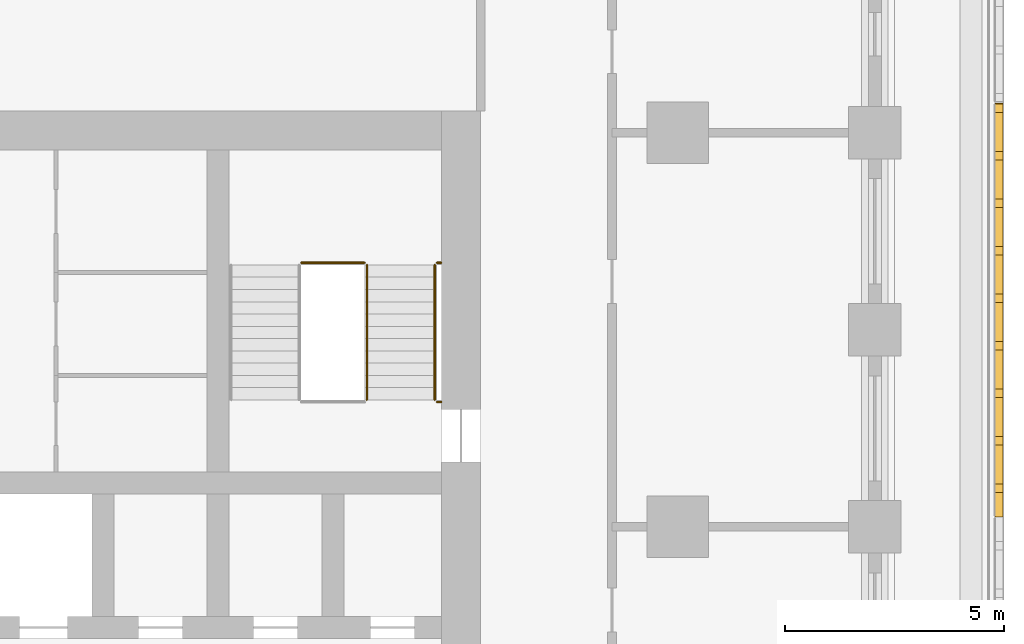
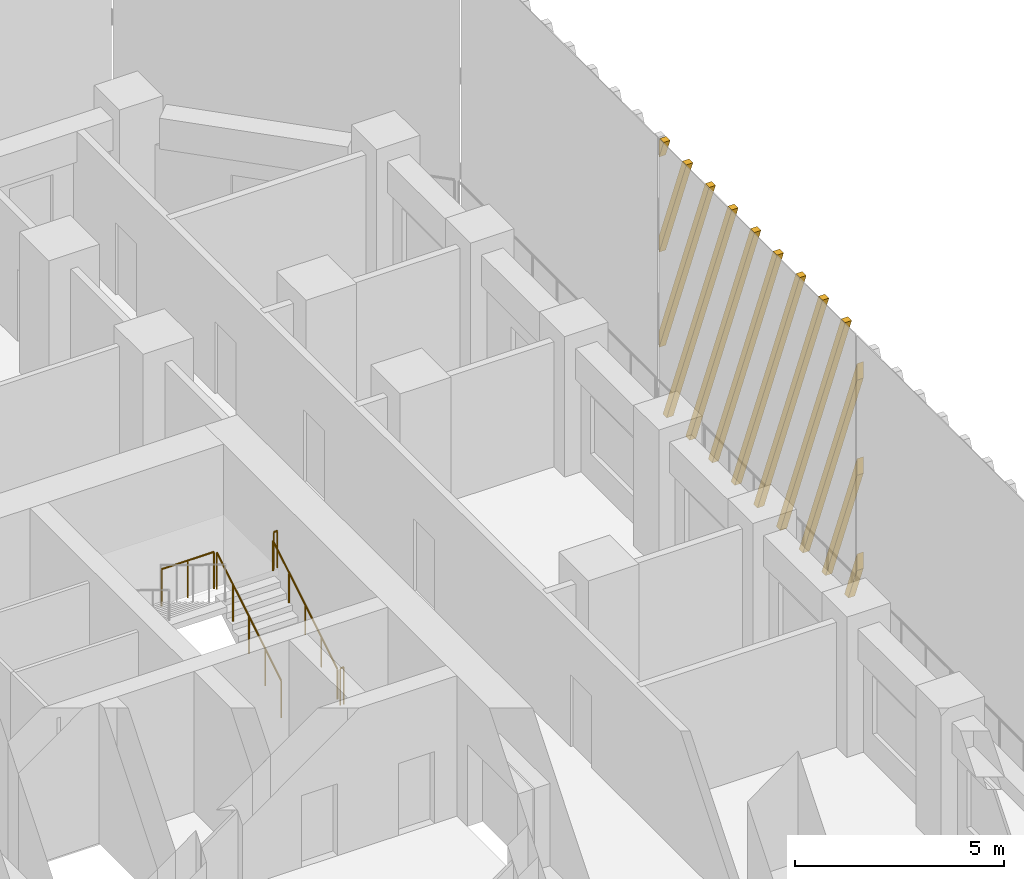
# One storey, part 17 of 19: 5 railings, 1 shading device.
"""IFC4 building model written with IfcOpenShell, lengths in metres."""

from ifc_helpers import new_model, si_unit, direction, frame, origin, origin_2d, place, context, subcontext, project, spatial, polyline, circle, outline, extrude, source, transform, mapped, material, type_object, element, save


model = new_model("IFC4")

# Units and contexts
model_context = context("Model", 3, precision=1e-05, world=origin(), true_north=direction((0.0, 1.0)))
body_context = subcontext(model_context, "Body", "Model", "MODEL_VIEW")
ifc_project = project(units=[si_unit("LENGTHUNIT", "METRE"), si_unit("AREAUNIT", "SQUARE_METRE"), si_unit("VOLUMEUNIT", "CUBIC_METRE"), si_unit("PLANEANGLEUNIT", "RADIAN"), si_unit("MASSUNIT", "GRAM", prefix="KILO")], contexts=[model_context])

# Site, building, storey
site_placement = place(None, origin())
site = spatial("IfcSite", under=ifc_project, at=site_placement, CompositionType="ELEMENT")
building_placement = place(site_placement, origin())
building = spatial("IfcBuilding", under=site, at=building_placement, Name="Corbel Stack Research Tower", CompositionType="ELEMENT")
storey_placement = place(building_placement, frame((0.0, 0.0, 124.89990234375)))
storey = spatial("IfcBuildingStorey", under=building, at=storey_placement, Name="L28", CompositionType="ELEMENT", Elevation=124.89990234375)

# Railings
ifc_material_1 = material(Name="Steel S355", Category="steel")
railing_type_1 = type_object("IfcRailingType", Name="Stair guard 1100", PredefinedType="GUARDRAIL", material=ifc_material_1)
railing_1_placement = place(storey_placement, frame((15.39990234375, 11.89990234375, 0.1708984375)))
element("IfcRailing", 1, at=railing_1_placement, inside=storey, type_object=railing_type_1, Name="L28 ST-E2 stair guard 1", PredefinedType="GUARDRAIL", context=body_context, shape_type="SweptSolid", body=[
    extrude(circle(Radius=0.02392578125, at=origin_2d()), frame((0.0, 0.0, 1.076171875), z_axis=(0.0, 0.853666305674, 0.52082035152), x_axis=(-1.0, 0.0, 0.0)), (0.0, 0.0, 1.0), 3.608154296875),
    extrude(circle(Radius=0.02099609375, at=origin_2d()), origin(), (0.0, 0.0, 1.0), 1.052001953125),
    extrude(circle(Radius=0.02099609375, at=origin_2d()), frame((0.0, 0.77001953125, 0.4697265625)), (0.0, 0.0, 1.0), 1.052001953125),
    extrude(circle(Radius=0.02099609375, at=origin_2d()), frame((0.0, 1.5400390625, 0.939453125)), (0.0, 0.0, 1.0), 1.052001953125),
    extrude(circle(Radius=0.02099609375, at=origin_2d()), frame((0.0, 2.31005859375, 1.409423828125)), (0.0, 0.0, 1.0), 1.052001953125),
    extrude(circle(Radius=0.02099609375, at=origin_2d()), frame((0.0, 3.080078125, 1.879150390625)), (0.0, 0.0, 1.0), 1.052001953125),
])
railing_2_placement = place(storey_placement, frame((15.35009765625, 15.030029296875, 2.050048828125)))
element("IfcRailing", 2, at=railing_2_placement, inside=storey, type_object=railing_type_1, Name="L28 ST-E2 stair guard 2", PredefinedType="GUARDRAIL", context=body_context, shape_type="SweptSolid", body=[
    extrude(circle(Radius=0.02392578125, at=origin_2d()), frame((0.0, 0.0, 1.076171875), z_axis=(-1.0, 0.0, 0.0), x_axis=(0.0, -1.0, 0.0)), (0.0, 0.0, 1.0), 1.4501953125),
    extrude(circle(Radius=0.02099609375, at=origin_2d()), origin(), (0.0, 0.0, 1.0), 1.052001953125),
    extrude(circle(Radius=0.02099609375, at=origin_2d()), frame((-0.72509765625, 0.0, 0.0)), (0.0, 0.0, 1.0), 1.052001953125),
    extrude(circle(Radius=0.02099609375, at=origin_2d()), frame((-1.4501953125, 0.0, 0.0)), (0.0, 0.0, 1.0), 1.052001953125),
])
for number, where, name in (
    (3, (17.10009765625, 15.030029296875, 2.050048828125), "L28 ST-E2 stair guard 3"),
    (4, (17.10009765625, 11.85009765625, 0.0), "L28 ST-E2 stair guard 6"),
):
    element("IfcRailing", number, at=place(storey_placement, frame(where)), inside=storey, type_object=railing_type_1, Name=name, PredefinedType="GUARDRAIL", context=body_context, shape_type="SweptSolid", body=[
        extrude(circle(Radius=0.02392578125, at=origin_2d()), frame((0.0, 0.0, 1.076171875), z_axis=(-1.0, 0.0, 0.0), x_axis=(0.0, -1.0, 0.0)), (0.0, 0.0, 1.0), 0.10009765625),
        extrude(circle(Radius=0.02099609375, at=origin_2d()), origin(), (0.0, 0.0, 1.0), 1.052001953125),
        extrude(circle(Radius=0.02099609375, at=origin_2d()), frame((-0.10009765625, 0.0, 0.0)), (0.0, 0.0, 1.0), 1.052001953125),
    ])
ifc_material_2 = material(Name="Steel S355", Category="steel")
railing_type_2 = type_object("IfcRailingType", Name="Stair handrail 900", PredefinedType="HANDRAIL", material=ifc_material_2)
railing_3_placement = place(storey_placement, frame((16.949951171875, 11.89990234375, 0.1708984375)))
element("IfcRailing", 5, at=railing_3_placement, inside=storey, type_object=railing_type_2, Name="L28 ST-E2 stair handrail 1", PredefinedType="HANDRAIL", context=body_context, shape_type="SweptSolid", body=[
    extrude(circle(Radius=0.02392578125, at=origin_2d()), frame((0.0, 0.0, 0.8759765625), z_axis=(0.0, 0.853666305674, 0.52082035152), x_axis=(-1.0, 0.0, 0.0)), (0.0, 0.0, 1.0), 3.608154296875),
    extrude(circle(Radius=0.02099609375, at=origin_2d()), origin(), (0.0, 0.0, 1.0), 0.851806640625),
    extrude(circle(Radius=0.02099609375, at=origin_2d()), frame((0.0, 0.77001953125, 0.4697265625)), (0.0, 0.0, 1.0), 0.851806640625),
    extrude(circle(Radius=0.02099609375, at=origin_2d()), frame((0.0, 1.5400390625, 0.939453125)), (0.0, 0.0, 1.0), 0.851806640625),
    extrude(circle(Radius=0.02099609375, at=origin_2d()), frame((0.0, 2.31005859375, 1.409423828125)), (0.0, 0.0, 1.0), 0.851806640625),
    extrude(circle(Radius=0.02099609375, at=origin_2d()), frame((0.0, 3.080078125, 1.879150390625)), (0.0, 0.0, 1.0), 0.851806640625),
])

# Shading device
ifc_material_3 = material(Name="Precast terracotta", Category="masonry")
shading_device_type = type_object("IfcShadingDeviceType", Name="Terracotta screen panel", PredefinedType="USERDEFINED", material=ifc_material_3)
shared_shape = source(origin(), body_context, "Body", "SweptSolid", [
    extrude(outline(polyline([(0.60205078125, 0.0), (0.0, 1.541748046875), (0.0, 1.055419921875), (0.412109375, 0.0), (0.60205078125, 0.0)])), frame((0.0, 0.0, 0.0), z_axis=(0.0, -1.0, 0.0), x_axis=(1.0, 0.0, 0.0)), (0.0, 0.0, 1.0), 0.179931640625),
    extrude(outline(polyline([(1.686767578125, 0.0), (0.0, 4.319091796875), (0.0, 3.83251953125), (1.496826171875, 0.0), (1.686767578125, 0.0)])), frame((0.0, 0.0, 0.0), z_axis=(0.0, -1.0, 0.0), x_axis=(1.0, 0.0, 0.0)), (0.0, 0.0, 1.0), 0.179931640625),
    extrude(outline(polyline([(2.771484375, 0.0), (0.0, 7.096435546875), (0.0, 6.60986328125), (2.58154296875, 0.0), (2.771484375, 0.0)])), frame((0.0, 0.0, 0.0), z_axis=(0.0, -1.0, 0.0), x_axis=(1.0, 0.0, 0.0)), (0.0, 0.0, 1.0), 0.179931640625),
    extrude(outline(polyline([(3.856201171875, 0.0), (0.751220703125, 7.949951171875), (0.561279296875, 7.949951171875), (3.666015625, 0.0), (3.856201171875, 0.0)])), frame((0.0, 0.0, 0.0), z_axis=(0.0, -1.0, 0.0), x_axis=(1.0, 0.0, 0.0)), (0.0, 0.0, 1.0), 0.179931640625),
    extrude(outline(polyline([(4.94091796875, 0.0), (1.8359375, 7.949951171875), (1.64599609375, 7.949951171875), (4.750732421875, 0.0), (4.94091796875, 0.0)])), frame((0.0, 0.0, 0.0), z_axis=(0.0, -1.0, 0.0), x_axis=(1.0, 0.0, 0.0)), (0.0, 0.0, 1.0), 0.179931640625),
    extrude(outline(polyline([(6.025390625, 0.0), (2.920654296875, 7.949951171875), (2.730712890625, 7.949951171875), (5.83544921875, 0.0), (6.025390625, 0.0)])), frame((0.0, 0.0, 0.0), z_axis=(0.0, -1.0, 0.0), x_axis=(1.0, 0.0, 0.0)), (0.0, 0.0, 1.0), 0.179931640625),
    extrude(outline(polyline([(7.110107421875, 0.0), (4.00537109375, 7.949951171875), (3.815185546875, 7.949951171875), (6.920166015625, 0.0), (7.110107421875, 0.0)])), frame((0.0, 0.0, 0.0), z_axis=(0.0, -1.0, 0.0), x_axis=(1.0, 0.0, 0.0)), (0.0, 0.0, 1.0), 0.179931640625),
    extrude(outline(polyline([(8.19482421875, 0.0), (5.090087890625, 7.949951171875), (4.89990234375, 7.949951171875), (8.0048828125, 0.0), (8.19482421875, 0.0)])), frame((0.0, 0.0, 0.0), z_axis=(0.0, -1.0, 0.0), x_axis=(1.0, 0.0, 0.0)), (0.0, 0.0, 1.0), 0.179931640625),
    extrude(outline(polyline([(9.279541015625, 0.0), (6.174560546875, 7.949951171875), (5.984619140625, 7.949951171875), (9.089599609375, 0.0), (9.279541015625, 0.0)])), frame((0.0, 0.0, 0.0), z_axis=(0.0, -1.0, 0.0), x_axis=(1.0, 0.0, 0.0)), (0.0, 0.0, 1.0), 0.179931640625),
    extrude(outline(polyline([(7.25927734375, 7.949951171875), (7.0693359375, 7.949951171875), (9.45556640625, 1.839599609375), (9.45556640625, 2.326171875), (7.25927734375, 7.949951171875)])), frame((0.0, 0.0, 0.0), z_axis=(0.0, -1.0, 0.0), x_axis=(1.0, 0.0, 0.0)), (0.0, 0.0, 1.0), 0.179931640625),
    extrude(outline(polyline([(8.343994140625, 7.949951171875), (8.15380859375, 7.949951171875), (9.45556640625, 4.616943359375), (9.45556640625, 5.103515625), (8.343994140625, 7.949951171875)])), frame((0.0, 0.0, 0.0), z_axis=(0.0, -1.0, 0.0), x_axis=(1.0, 0.0, 0.0)), (0.0, 0.0, 1.0), 0.179931640625),
    extrude(outline(polyline([(9.4287109375, 7.949951171875), (9.238525390625, 7.949951171875), (9.45556640625, 7.394287109375), (9.45556640625, 7.880859375), (9.4287109375, 7.949951171875)])), frame((0.0, 0.0, 0.0), z_axis=(0.0, -1.0, 0.0), x_axis=(1.0, 0.0, 0.0)), (0.0, 0.0, 1.0), 0.179931640625),
])
shading_device_placement = place(storey_placement, frame((29.75, 9.227783203125, 0.0), z_axis=(0.0, 0.0, 1.0), x_axis=(0.0, 1.0, 0.0)))
element("IfcShadingDevice", 6, at=shading_device_placement, inside=storey, type_object=shading_device_type, Name="Terracotta screen L28 E4", ObjectType="SCREEN", PredefinedType="USERDEFINED", context=body_context, shape_type="MappedRepresentation", body=[
    mapped(shared_shape, transform((0.0, 0.0, 0.0))),
])

save(model, "model.ifc")
